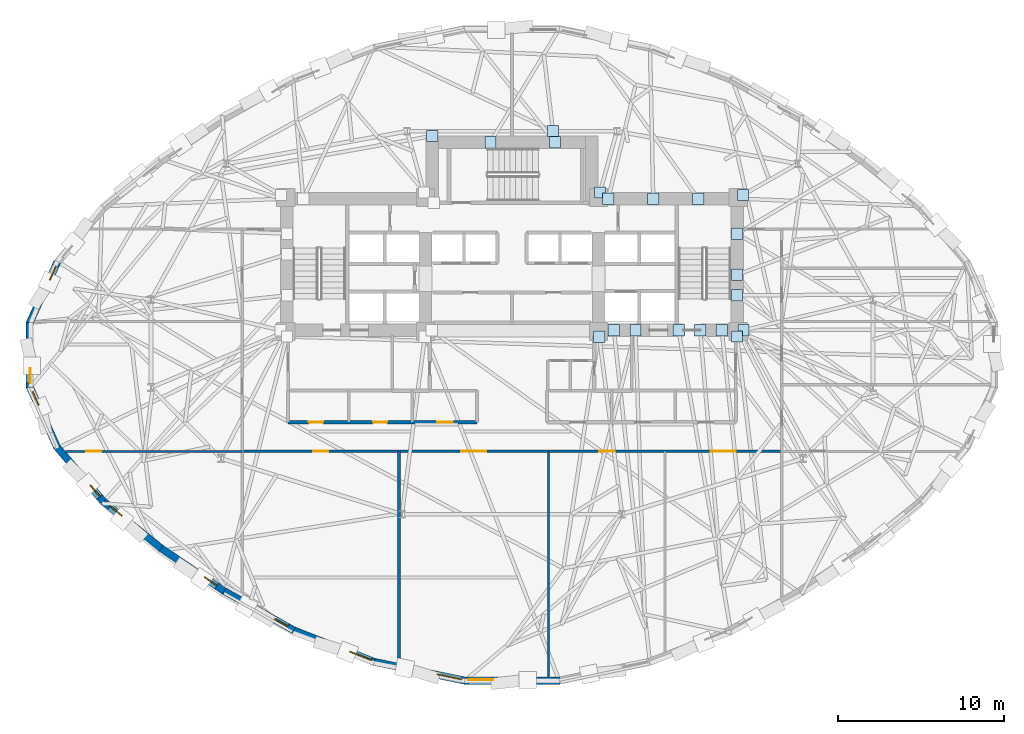
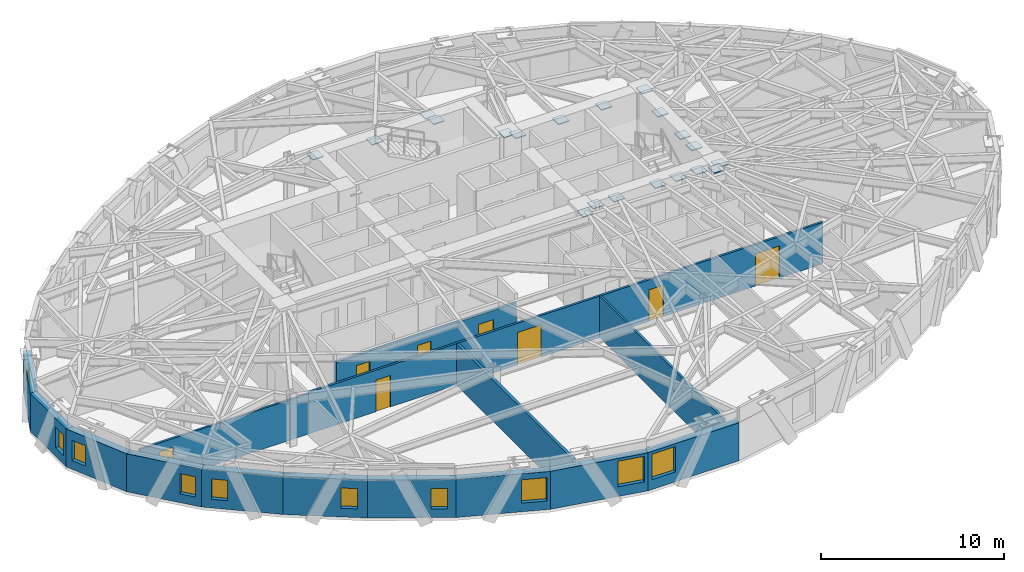
# One storey, part 6 of 14: 20 plates, 15 walls, 10 windows, 8 doors, 18 openings.
"""IFC4 building model written with IfcOpenShell, lengths in metres."""

from ifc_helpers import new_model, si_unit, direction, frame, frame_2d, origin, origin_2d, place, context, subcontext, project, spatial, rectangle, extrude, material, layer, layer_set, type_object, element, fill, save


model = new_model("IFC4")

# Units and contexts
model_context = context("Model", 3, precision=1e-05, world=origin(), true_north=direction((0.0, 1.0)))
body_context = subcontext(model_context, "Body", "Model", "MODEL_VIEW")
ifc_project = project(units=[si_unit("LENGTHUNIT", "METRE"), si_unit("AREAUNIT", "SQUARE_METRE"), si_unit("VOLUMEUNIT", "CUBIC_METRE"), si_unit("PLANEANGLEUNIT", "RADIAN"), si_unit("MASSUNIT", "GRAM", prefix="KILO")], contexts=[model_context])

# Site, building, storey
site_placement = place(None, origin())
site = spatial("IfcSite", under=ifc_project, at=site_placement, CompositionType="ELEMENT")
building_placement = place(site_placement, origin())
building = spatial("IfcBuilding", under=site, at=building_placement, Name="Keldmark Tower", CompositionType="ELEMENT")
storey_placement = place(building_placement, frame((0.0, 0.0, 86.10009765625)))
storey = spatial("IfcBuildingStorey", under=building, at=storey_placement, Name="L22", CompositionType="ELEMENT", Elevation=86.10009765625)

# Plates
ifc_material_1 = material(Name="Steel ASTM A572 Grade 50", Category="steel")
ifc_layer_1 = layer(ifc_material_1, 0.06005859375)
ifc_layer_set_1 = layer_set([ifc_layer_1], Name="Steel ASTM A572 Grade 50")
plate_type = type_object("IfcPlateType", Name="Belt Truss Kink Node Assembly KN01 60 mm", PredefinedType="USERDEFINED", material=ifc_layer_set_1)
for number, where, z_axis, x_axis, name in (
    (1, (13.91162109375, 1.473388671875, 3.0078125), (0.0, 0.0, 1.0), (1.0, 0.0, 0.0), "L22 Core Wall Cast-In Embed Plate 588"),
    (2, (13.878173828125, 9.608154296875, 3.0078125), (0.0, 0.0, 1.0), (1.0, 0.0, 0.0), "L22 Core Wall Cast-In Embed Plate 589"),
    (3, (5.28515625, 9.758544921875, 3.0078125), (0.0, 0.0, 1.0), (1.0, 0.0, 0.0), "L22 Core Wall Cast-In Embed Plate 590"),
    (4, (5.24072265625, 1.08251953125, 3.0078125), (0.0, 0.0, 1.0), (1.0, 0.0, 0.0), "L22 Core Wall Cast-In Embed Plate 595"),
    (5, (-4.800048828125, 13.14990234375, 3.01416015625), (0.0, 0.0, 1.0), (1.0, 0.0, 0.0), "L22 Core Wall Cast-In Embed Plate 597"),
    (6, (13.52490234375, 4.80712890625, 3.01416015625), (0.0, 0.0, 1.0), (1.0, 0.0, 0.0), "L22 Core Wall Cast-In Embed Plate 598"),
    (7, (12.603515625, 1.47509765625, 3.01416015625), (0.0, 0.0, 1.0), (1.0, 0.0, 0.0), "L22 Core Wall Cast-In Embed Plate 600"),
    (8, (13.52490234375, 3.5712890625, 3.01416015625), (0.0, 0.0, 1.0), (1.0, 0.0, 0.0), "L22 Core Wall Cast-In Embed Plate 601"),
    (9, (13.52490234375, 7.278564453125, 3.01416015625), (0.0, 0.0, 1.0), (1.0, 0.0, 0.0), "L22 Core Wall Cast-In Embed Plate 602"),
    (10, (5.778564453125, 9.375, 3.01416015625), (0.0, 0.0, 1.0), (1.0, 0.0, 0.0), "L22 Core Wall Cast-In Embed Plate 603"),
    (11, (8.485595703125, 9.375, 3.01416015625), (0.0, 0.0, 1.0), (1.0, 0.0, 0.0), "L22 Core Wall Cast-In Embed Plate 604"),
    (12, (11.19287109375, 9.375, 3.01416015625), (0.0, 0.0, 1.0), (1.0, 0.0, 0.0), "L22 Core Wall Cast-In Embed Plate 605"),
    (13, (7.41796875, 1.47509765625, 3.01416015625), (0.0, 0.0, 1.0), (1.0, 0.0, 0.0), "L22 Core Wall Cast-In Embed Plate 609"),
    (14, (11.30712890625, 1.47509765625, 3.01416015625), (0.0, 0.0, 1.0), (1.0, 0.0, 0.0), "L22 Core Wall Cast-In Embed Plate 610"),
    (15, (10.0107421875, 1.47509765625, 3.01416015625), (0.0, 0.0, 1.0), (1.0, 0.0, 0.0), "L22 Core Wall Cast-In Embed Plate 611"),
    (16, (13.52490234375, 1.10009765625, 3.01416015625), (0.0, 0.0, 1.0), (1.0, 0.0, 0.0), "L22 Core Wall Cast-In Embed Plate 612"),
    (17, (2.46337890625, 13.4326171875, 3.01416015625), (0.0, 0.0, 1.0), (1.0, 0.0, 0.0), "L22 Core Wall Cast-In Embed Plate 615"),
    (18, (-1.293701171875, 12.77490234375, 3.01416015625), (0.0, 0.0, 1.0), (1.0, 0.0, 0.0), "L22 Core Wall Cast-In Embed Plate 616"),
    (19, (2.58740234375, 12.77490234375, 3.01416015625), (0.0, 0.0, 1.0), (1.0, 0.0, 0.0), "L22 Core Wall Cast-In Embed Plate 617"),
    (20, (6.121337890625, 1.47509765625, 3.01416015625), (0.0, 0.0, 1.0), (1.0, 0.0, 0.0), "L22 Core Wall Cast-In Embed Plate 618"),
):
    element("IfcPlate", number, at=place(storey_placement, frame(where, z_axis=z_axis, x_axis=x_axis)), inside=storey, type_object=plate_type, Name=name, ObjectType="CAP PLATE", PredefinedType="USERDEFINED", context=body_context, shape_type="SweptSolid", body=[
        extrude(rectangle(XDim=0.679931640625, YDim=0.679931640625, at=origin_2d()), origin(), (0.0, 0.0, 1.0), 0.054931640625),
    ])

# Wall, openings, doors
ifc_material_2 = material(Name="Acoustic Double-Layer Gypsum Corridor Partition", Category="gypsum")
ifc_layer_2 = layer(ifc_material_2, 0.139892578125)
ifc_layer_set_2 = layer_set([ifc_layer_2], Name="Acoustic Double-Layer Gypsum Corridor Partition")
wall_type_1 = type_object("IfcWallType", Name="Acoustic Corridor Partition 140 mm", PredefinedType="PARTITIONING", material=ifc_layer_set_2)
wall_1_placement = place(storey_placement, frame((-16.199951171875, -5.800048828125, 0.0), z_axis=(0.0, 0.0, 1.0), x_axis=(1.0, 0.0, 0.0)))
wall_1 = element("IfcWall", 21, at=wall_1_placement, inside=storey, type_object=wall_type_1, Name="L22 Acoustic Corridor Partition 140 mm COR-S", PredefinedType="PARTITIONING", context=body_context, shape_type="SweptSolid", body=[
    extrude(rectangle(XDim=32.39990234375, YDim=0.139892578125, at=frame_2d((16.199951171875, 0.0))), origin(), (0.0, 0.0, 1.0), 2.762939453125),
])
opening_1_placement = place(wall_1_placement, frame((4.25, 0.0, 0.0)))
opening_1 = element("IfcOpeningElement", 22, at=opening_1_placement, cuts=wall_1, Name="Opening D-IN090", PredefinedType="OPENING", context=body_context, shape_type="SweptSolid", body=[
    extrude(rectangle(XDim=0.89990234375, YDim=2.10009765625, at=frame_2d((0.449951171875, 1.050048828125))), frame((0.0, 0.079833984375, 0.0), z_axis=(0.0, -1.0, 0.0), x_axis=(1.0, 0.0, 0.0)), (0.0, 0.0, 1.0), 0.159912109375),
])
opening_2_placement = place(wall_1_placement, frame((13.14990234375, 0.0, 0.0)))
opening_2 = element("IfcOpeningElement", 23, at=opening_2_placement, cuts=wall_1, Name="Opening D-CF150", PredefinedType="OPENING", context=body_context, shape_type="SweptSolid", body=[
    extrude(rectangle(XDim=1.5, YDim=2.14990234375, at=frame_2d((0.75, 1.074951171875))), frame((0.0, 0.079833984375, 0.0), z_axis=(0.0, -1.0, 0.0), x_axis=(1.0, 0.0, 0.0)), (0.0, 0.0, 1.0), 0.159912109375),
])
opening_3_placement = place(wall_1_placement, frame((21.449951171875, 0.0, 0.0)))
opening_3 = element("IfcOpeningElement", 24, at=opening_3_placement, cuts=wall_1, Name="Opening D-IN090", PredefinedType="OPENING", context=body_context, shape_type="SweptSolid", body=[
    extrude(rectangle(XDim=0.89990234375, YDim=2.10009765625, at=frame_2d((0.449951171875, 1.050048828125))), frame((0.0, 0.079833984375, 0.0), z_axis=(0.0, -1.0, 0.0), x_axis=(1.0, 0.0, 0.0)), (0.0, 0.0, 1.0), 0.159912109375),
])
opening_4_placement = place(wall_1_placement, frame((28.14990234375, 0.0, 0.0)))
opening_4 = element("IfcOpeningElement", 25, at=opening_4_placement, cuts=wall_1, Name="Opening D-CF150", PredefinedType="OPENING", context=body_context, shape_type="SweptSolid", body=[
    extrude(rectangle(XDim=1.5, YDim=2.14990234375, at=frame_2d((0.75, 1.074951171875))), frame((0.0, 0.079833984375, 0.0), z_axis=(0.0, -1.0, 0.0), x_axis=(1.0, 0.0, 0.0)), (0.0, 0.0, 1.0), 0.159912109375),
])
ifc_material_3 = material(Name="Acoustic Timber and Tempered Glass Double Door", Category="wood")
door_type_1 = type_object("IfcDoorType", Name="Conference Double Door 1500x2150", OperationType="DOUBLE_DOOR_SINGLE_SWING", PredefinedType="DOOR", material=ifc_material_3)
door_1_placement = place(opening_2_placement, origin())
door_1 = element("IfcDoor", 26, at=door_1_placement, inside=storey, type_object=door_type_1, Name="L22 Conference Double Door 1500x2150 D-SR-2-L22", OperationType="DOUBLE_DOOR_SINGLE_SWING", OverallHeight=2.14990234375, OverallWidth=1.5, PredefinedType="DOOR", context=body_context, shape_type="SweptSolid", body=[
    extrude(rectangle(XDim=1.5, YDim=2.14990234375, at=frame_2d((0.75, 1.074951171875))), frame((0.0, 0.02490234375, 0.0), z_axis=(0.0, -1.0, 0.0), x_axis=(1.0, 0.0, 0.0)), (0.0, 0.0, 1.0), 0.050048828125),
])
fill(opening_2, door_1)
door_2_placement = place(opening_4_placement, origin())
door_2 = element("IfcDoor", 27, at=door_2_placement, inside=storey, type_object=door_type_1, Name="L22 Conference Double Door 1500x2150 D-SR-4-L22", OperationType="DOUBLE_DOOR_SINGLE_SWING", OverallHeight=2.14990234375, OverallWidth=1.5, PredefinedType="DOOR", context=body_context, shape_type="SweptSolid", body=[
    extrude(rectangle(XDim=1.5, YDim=2.14990234375, at=frame_2d((0.75, 1.074951171875))), frame((0.0, 0.02490234375, 0.0), z_axis=(0.0, -1.0, 0.0), x_axis=(1.0, 0.0, 0.0)), (0.0, 0.0, 1.0), 0.050048828125),
])
fill(opening_4, door_2)
ifc_material_4 = material(Name="Stained American White Oak Veneer", Category="wood")
door_type_2 = type_object("IfcDoorType", Name="Interior Door 900x2100", OperationType="NOTDEFINED", PredefinedType="DOOR", material=ifc_material_4)
door_3_placement = place(opening_1_placement, origin())
door_3 = element("IfcDoor", 28, at=door_3_placement, inside=storey, type_object=door_type_2, Name="L22 Interior Door 900x2100 D-SR-1-L22", OperationType="SINGLE_SWING_LEFT", OverallHeight=2.10009765625, OverallWidth=0.89990234375, PredefinedType="DOOR", context=body_context, shape_type="SweptSolid", body=[
    extrude(rectangle(XDim=0.89990234375, YDim=2.10009765625, at=frame_2d((0.449951171875, 1.050048828125))), frame((0.0, 0.02490234375, 0.0), z_axis=(0.0, -1.0, 0.0), x_axis=(1.0, 0.0, 0.0)), (0.0, 0.0, 1.0), 0.050048828125),
])
fill(opening_1, door_3)
door_4_placement = place(opening_3_placement, origin())
door_4 = element("IfcDoor", 29, at=door_4_placement, inside=storey, type_object=door_type_2, Name="L22 Interior Door 900x2100 D-SR-3-L22", OperationType="SINGLE_SWING_LEFT", OverallHeight=2.10009765625, OverallWidth=0.89990234375, PredefinedType="DOOR", context=body_context, shape_type="SweptSolid", body=[
    extrude(rectangle(XDim=0.89990234375, YDim=2.10009765625, at=frame_2d((0.449951171875, 1.050048828125))), frame((0.0, 0.02490234375, 0.0), z_axis=(0.0, -1.0, 0.0), x_axis=(1.0, 0.0, 0.0)), (0.0, 0.0, 1.0), 0.050048828125),
])
fill(opening_3, door_4)

# Wall
ifc_material_5 = material(Name="STC-58 Insulated Tenant Demising Gypsum Partition", Category="gypsum")
ifc_layer_3 = layer(ifc_material_5, 0.175048828125)
ifc_layer_set_3 = layer_set([ifc_layer_3], Name="STC-58 Insulated Tenant Demising Gypsum Partition")
wall_type_2 = type_object("IfcWallType", Name="Demising Suite Partition 175 mm", PredefinedType="PARTITIONING", material=ifc_layer_set_3)
wall_2_placement = place(storey_placement, frame((-6.800048828125, -18.525634765625, 0.0), z_axis=(0.0, 0.0, 1.0), x_axis=(0.0, 1.0, 0.0)))
element("IfcWall", 30, at=wall_2_placement, inside=storey, type_object=wall_type_2, Name="L22 Demising Suite Partition 175 mm S-DIV-1", PredefinedType="PARTITIONING", context=body_context, shape_type="SweptSolid", body=[
    extrude(rectangle(XDim=12.7255859375, YDim=0.175048828125, at=frame_2d((6.36279296875, 0.0))), origin(), (0.0, 0.0, 1.0), 2.7509765625),
])

# Wall, openings, doors
ifc_material_6 = material(Name="Heavy Acoustic Plumbing Chase Gypsum Assembly", Category="gypsum")
ifc_layer_4 = layer(ifc_material_6, 0.18994140625)
ifc_layer_set_4 = layer_set([ifc_layer_4], Name="Heavy Acoustic Plumbing Chase Gypsum Assembly")
wall_type_3 = type_object("IfcWallType", Name="Heavy Wet Wall 190 mm", PredefinedType="PLUMBINGWALL", material=ifc_layer_set_4)
wall_3_placement = place(storey_placement, frame((-13.449951171875, -4.050048828125, 0.0), z_axis=(0.0, 0.0, 1.0), x_axis=(1.0, 0.0, 0.0)))
wall_3 = element("IfcWall", 31, at=wall_3_placement, inside=storey, type_object=wall_type_3, Name="L22 Heavy Wet Wall 190 mm SPK-W-S", PredefinedType="PLUMBINGWALL", context=body_context, shape_type="SweptSolid", body=[
    extrude(rectangle(XDim=11.349853515625, YDim=0.18994140625, at=frame_2d((5.6748046875, 0.0))), origin(), (0.0, 0.0, 1.0), 2.762939453125),
])
opening_5_placement = place(wall_3_placement, frame((1.25, 0.0, 0.0)))
opening_5 = element("IfcOpeningElement", 32, at=opening_5_placement, cuts=wall_3, Name="Opening D-WC085", PredefinedType="OPENING", context=body_context, shape_type="SweptSolid", body=[
    extrude(rectangle(XDim=0.85009765625, YDim=2.10009765625, at=frame_2d((0.425048828125, 1.050048828125))), frame((0.0, 0.10498046875, 0.0), z_axis=(0.0, -1.0, 0.0), x_axis=(1.0, 0.0, 0.0)), (0.0, 0.0, 1.0), 0.2099609375),
])
opening_6_placement = place(wall_3_placement, frame((5.10009765625, 0.0, 0.0)))
opening_6 = element("IfcOpeningElement", 33, at=opening_6_placement, cuts=wall_3, Name="Opening D-WC085", PredefinedType="OPENING", context=body_context, shape_type="SweptSolid", body=[
    extrude(rectangle(XDim=0.85009765625, YDim=2.10009765625, at=frame_2d((0.425048828125, 1.050048828125))), frame((0.0, 0.10498046875, 0.0), z_axis=(0.0, -1.0, 0.0), x_axis=(1.0, 0.0, 0.0)), (0.0, 0.0, 1.0), 0.2099609375),
])
opening_7_placement = place(wall_3_placement, frame((8.949951171875, 0.0, 0.0)))
opening_7 = element("IfcOpeningElement", 34, at=opening_7_placement, cuts=wall_3, Name="Opening D-AWC95", PredefinedType="OPENING", context=body_context, shape_type="SweptSolid", body=[
    extrude(rectangle(XDim=0.949951171875, YDim=2.14990234375, at=frame_2d((0.47509765625, 1.074951171875))), frame((0.0, 0.10498046875, 0.0), z_axis=(0.0, -1.0, 0.0), x_axis=(1.0, 0.0, 0.0)), (0.0, 0.0, 1.0), 0.2099609375),
])
ifc_material_7 = material(Name="Painted Solid-Core Architectural Wood", Category="wood")
door_type_3 = type_object("IfcDoorType", Name="Accessible WC Door 950x2150", OperationType="NOTDEFINED", PredefinedType="DOOR", material=ifc_material_7)
door_5_placement = place(opening_7_placement, origin())
door_5 = element("IfcDoor", 35, at=door_5_placement, inside=storey, type_object=door_type_3, Name="L22 Accessible WC Door 950x2150 D-SPKW3-L22", OperationType="SINGLE_SWING_LEFT", OverallHeight=2.14990234375, OverallWidth=0.949951171875, PredefinedType="DOOR", context=body_context, shape_type="SweptSolid", body=[
    extrude(rectangle(XDim=0.949951171875, YDim=2.14990234375, at=frame_2d((0.47509765625, 1.074951171875))), frame((0.0, 0.02490234375, 0.0), z_axis=(0.0, -1.0, 0.0), x_axis=(1.0, 0.0, 0.0)), (0.0, 0.0, 1.0), 0.050048828125),
])
fill(opening_7, door_5)
ifc_material_8 = material(Name="Moisture-Sealed Painted Wood", Category="wood")
door_type_4 = type_object("IfcDoorType", Name="WC Door 850x2100", OperationType="NOTDEFINED", PredefinedType="DOOR", material=ifc_material_8)
door_6_placement = place(opening_5_placement, origin())
door_6 = element("IfcDoor", 36, at=door_6_placement, inside=storey, type_object=door_type_4, Name="L22 WC Door 850x2100 D-SPKW1-L22", OperationType="SINGLE_SWING_LEFT", OverallHeight=2.10009765625, OverallWidth=0.85009765625, PredefinedType="DOOR", context=body_context, shape_type="SweptSolid", body=[
    extrude(rectangle(XDim=0.85009765625, YDim=2.10009765625, at=frame_2d((0.425048828125, 1.050048828125))), frame((0.0, 0.02490234375, 0.0), z_axis=(0.0, -1.0, 0.0), x_axis=(1.0, 0.0, 0.0)), (0.0, 0.0, 1.0), 0.050048828125),
])
fill(opening_5, door_6)
door_7_placement = place(opening_6_placement, origin())
door_7 = element("IfcDoor", 37, at=door_7_placement, inside=storey, type_object=door_type_4, Name="L22 WC Door 850x2100 D-SPKW2-L22", OperationType="SINGLE_SWING_RIGHT", OverallHeight=2.10009765625, OverallWidth=0.85009765625, PredefinedType="DOOR", context=body_context, shape_type="SweptSolid", body=[
    extrude(rectangle(XDim=0.85009765625, YDim=2.10009765625, at=frame_2d((0.425048828125, 1.050048828125))), frame((0.0, 0.02490234375, 0.0), z_axis=(0.0, -1.0, 0.0), x_axis=(1.0, 0.0, 0.0)), (0.0, 0.0, 1.0), 0.050048828125),
])
fill(opening_6, door_7)

# Wall
ifc_material_9 = material(Name="Acoustic Gypsum Board Interior Partition", Category="gypsum")
ifc_layer_5 = layer(ifc_material_9, 0.1298828125)
ifc_layer_set_5 = layer_set([ifc_layer_5], Name="Acoustic Gypsum Board Interior Partition")
wall_type_4 = type_object("IfcWallType", Name="Interior Partition 130 mm", PredefinedType="PARTITIONING", material=ifc_layer_set_5)
wall_4_placement = place(storey_placement, frame((2.199951171875, -19.349609375, 0.0), z_axis=(0.0, 0.0, 1.0), x_axis=(0.0, 1.0, 0.0)))
element("IfcWall", 38, at=wall_4_placement, inside=storey, type_object=wall_type_4, Name="L22 Interior Partition 130 mm S-DIV-2", PredefinedType="PARTITIONING", context=body_context, shape_type="SweptSolid", body=[
    extrude(rectangle(XDim=13.549560546875, YDim=0.1298828125, at=frame_2d((6.77490234375, 0.0))), origin(), (0.0, 0.0, 1.0), 2.762939453125),
])

# Wall, opening, door
wall_5_placement = place(storey_placement, frame((-26.823486328125, -5.800048828125, 0.0), z_axis=(0.0, 0.0, 1.0), x_axis=(1.0, 0.0, 0.0)))
wall_5 = element("IfcWall", 39, at=wall_5_placement, inside=storey, type_object=wall_type_4, Name="L22 Interior Partition 130 mm W-CAP-S", PredefinedType="PARTITIONING", context=body_context, shape_type="SweptSolid", body=[
    extrude(rectangle(XDim=10.62353515625, YDim=0.1298828125, at=frame_2d((5.311767578125, 0.0))), origin(), (0.0, 0.0, 1.0), 2.68798828125),
])
opening_8_placement = place(wall_5_placement, frame((1.22998046875, 0.0, 0.0)))
opening_8 = element("IfcOpeningElement", 40, at=opening_8_placement, cuts=wall_5, Name="Opening D-IN090", PredefinedType="OPENING", context=body_context, shape_type="SweptSolid", body=[
    extrude(rectangle(XDim=0.89990234375, YDim=2.10009765625, at=frame_2d((0.449951171875, 1.050048828125))), frame((0.0, 0.074951171875, 0.0), z_axis=(0.0, -1.0, 0.0), x_axis=(1.0, 0.0, 0.0)), (0.0, 0.0, 1.0), 0.14990234375),
])
door_8_placement = place(opening_8_placement, origin())
door_8 = element("IfcDoor", 41, at=door_8_placement, inside=storey, type_object=door_type_2, Name="L22 Interior Door 900x2100 D-WRSW-L22", OperationType="SINGLE_SWING_LEFT", OverallHeight=2.10009765625, OverallWidth=0.89990234375, PredefinedType="DOOR", context=body_context, shape_type="SweptSolid", body=[
    extrude(rectangle(XDim=0.89990234375, YDim=2.10009765625, at=frame_2d((0.449951171875, 1.050048828125))), frame((0.0, 0.02490234375, 0.0), z_axis=(0.0, -1.0, 0.0), x_axis=(1.0, 0.0, 0.0)), (0.0, 0.0, 1.0), 0.050048828125),
])
fill(opening_8, door_8)

# Wall, opening, window
ifc_material_10 = material(Name="Ironspot Manganese Brick and Kasota Buff Limestone Spandrel Assembly", Category="masonry")
ifc_layer_6 = layer(ifc_material_10, 0.43994140625)
ifc_layer_set_6 = layer_set([ifc_layer_6], Name="Ironspot Manganese Brick and Kasota Buff Limestone Spandrel Assembly")
wall_type_5 = type_object("IfcWallType", Name="Tower Brick Pier and Spandrel Wall 440 mm", PredefinedType="STANDARD", material=ifc_layer_set_6)
wall_6_placement = place(storey_placement, frame((-29.007568359375, 1.859375, 0.0), z_axis=(0.0, 0.0, 1.0), x_axis=(0.411809988363, 0.911269736952, 0.0)))
wall_6 = element("IfcWall", 42, at=wall_6_placement, inside=storey, type_object=wall_type_5, Name="L22 Exterior Brick and Spandrel Wall 15", PredefinedType="STANDARD", context=body_context, shape_type="SweptSolid", body=[
    extrude(rectangle(XDim=4.072265625, YDim=0.43994140625, at=frame_2d((2.0361328125, 0.0))), origin(), (0.0, 0.0, 1.0), 2.52783203125),
])
opening_9_placement = place(wall_6_placement, frame((2.922607421875, 0.0, 0.580078125)))
opening_9 = element("IfcOpeningElement", 43, at=opening_9_placement, cuts=wall_6, Name="Opening W-09", PredefinedType="OPENING", context=body_context, shape_type="SweptSolid", body=[
    extrude(rectangle(XDim=0.89990234375, YDim=1.35009765625, at=frame_2d((0.449951171875, 0.675048828125))), frame((0.0, 0.22998046875, 0.0), z_axis=(0.0, -1.0, 0.0), x_axis=(1.0, 0.0, 0.0)), (0.0, 0.0, 1.0), 0.4599609375),
])
ifc_material_11 = material(Name="Thermally Broken Anodized Aluminum and Triple Low-E Argon Glazing", Category="aluminium")
window_type_1 = type_object("IfcWindowType", Name="Corner Pier Deep-Set Window 900x1350", PartitioningType="SINGLE_PANEL", PredefinedType="WINDOW", material=ifc_material_11)
window_1_placement = place(opening_9_placement, origin())
window_1 = element("IfcWindow", 44, at=window_1_placement, inside=storey, type_object=window_type_1, Name="L22 Deep-Set Window 15", OverallHeight=1.35009765625, OverallWidth=0.89990234375, PartitioningType="SINGLE_PANEL", PredefinedType="WINDOW", context=body_context, shape_type="SweptSolid", body=[
    extrude(rectangle(XDim=0.89990234375, YDim=1.35009765625, at=frame_2d((0.449951171875, 0.675048828125))), frame((0.0, -0.010009765625, 0.0), z_axis=(0.0, -1.0, 0.0), x_axis=(1.0, 0.0, 0.0)), (0.0, 0.0, 1.0), 0.06005859375),
])
fill(opening_9, window_1)

wall_7_placement = place(storey_placement, frame((-28.988037109375, -1.949951171875, 0.0), z_axis=(0.0, 0.0, 1.0), x_axis=(0.0, 1.0, 0.0)))
wall_7 = element("IfcWall", 45, at=wall_7_placement, inside=storey, type_object=wall_type_5, Name="L22 Exterior Brick and Spandrel Wall 16", PredefinedType="STANDARD", context=body_context, shape_type="SweptSolid", body=[
    extrude(rectangle(XDim=3.89990234375, YDim=0.43994140625, at=frame_2d((1.949951171875, 0.0))), origin(), (0.0, 0.0, 1.0), 2.52783203125),
])
opening_10_placement = place(wall_7_placement, frame((0.25, 0.0, 0.580078125)))
opening_10 = element("IfcOpeningElement", 46, at=opening_10_placement, cuts=wall_7, Name="Opening W-09", PredefinedType="OPENING", context=body_context, shape_type="SweptSolid", body=[
    extrude(rectangle(XDim=0.89990234375, YDim=1.35009765625, at=frame_2d((0.449951171875, 0.675048828125))), frame((0.0, 0.22998046875, 0.0), z_axis=(0.0, -1.0, 0.0), x_axis=(1.0, 0.0, 0.0)), (0.0, 0.0, 1.0), 0.4599609375),
])
window_2_placement = place(opening_10_placement, origin())
window_2 = element("IfcWindow", 47, at=window_2_placement, inside=storey, type_object=window_type_1, Name="L22 Deep-Set Window 16", OverallHeight=1.35009765625, OverallWidth=0.89990234375, PartitioningType="SINGLE_PANEL", PredefinedType="WINDOW", context=body_context, shape_type="SweptSolid", body=[
    extrude(rectangle(XDim=0.89990234375, YDim=1.35009765625, at=frame_2d((0.449951171875, 0.675048828125))), frame((0.0, -0.010009765625, 0.0), z_axis=(0.0, -1.0, 0.0), x_axis=(1.0, 0.0, 0.0)), (0.0, 0.0, 1.0), 0.06005859375),
])
fill(opening_10, window_2)

wall_8_placement = place(storey_placement, frame((-27.33056640625, -5.5703125, 0.0), z_axis=(0.0, 0.0, 1.0), x_axis=(-0.411809988363, 0.911269736952, 0.0)))
wall_8 = element("IfcWall", 48, at=wall_8_placement, inside=storey, type_object=wall_type_5, Name="L22 Exterior Brick and Spandrel Wall 17", PredefinedType="STANDARD", context=body_context, shape_type="SweptSolid", body=[
    extrude(rectangle(XDim=4.072265625, YDim=0.43994140625, at=frame_2d((2.0361328125, 0.0))), origin(), (0.0, 0.0, 1.0), 2.52783203125),
])
opening_11_placement = place(wall_8_placement, frame((2.774169921875, 0.0, 0.580078125)))
opening_11 = element("IfcOpeningElement", 49, at=opening_11_placement, cuts=wall_8, Name="Opening W-09", PredefinedType="OPENING", context=body_context, shape_type="SweptSolid", body=[
    extrude(rectangle(XDim=0.89990234375, YDim=1.35009765625, at=frame_2d((0.449951171875, 0.675048828125))), frame((0.0, 0.22998046875, 0.0), z_axis=(0.0, -1.0, 0.0), x_axis=(1.0, 0.0, 0.0)), (0.0, 0.0, 1.0), 0.4599609375),
])
window_3_placement = place(opening_11_placement, origin())
window_3 = element("IfcWindow", 50, at=window_3_placement, inside=storey, type_object=window_type_1, Name="L22 Deep-Set Window 17", OverallHeight=1.35009765625, OverallWidth=0.89990234375, PartitioningType="SINGLE_PANEL", PredefinedType="WINDOW", context=body_context, shape_type="SweptSolid", body=[
    extrude(rectangle(XDim=0.89990234375, YDim=1.35009765625, at=frame_2d((0.449951171875, 0.675048828125))), frame((0.0, -0.010009765625, 0.0), z_axis=(0.0, -1.0, 0.0), x_axis=(1.0, 0.0, 0.0)), (0.0, 0.0, 1.0), 0.06005859375),
])
fill(opening_11, window_3)

wall_9_placement = place(storey_placement, frame((-24.552978515625, -8.8134765625, 0.0), z_axis=(0.0, 0.0, 1.0), x_axis=(-0.648913975558, 0.760861782669, 0.0)))
wall_9 = element("IfcWall", 51, at=wall_9_placement, inside=storey, type_object=wall_type_5, Name="L22 Exterior Brick and Spandrel Wall 18", PredefinedType="STANDARD", context=body_context, shape_type="SweptSolid", body=[
    extrude(rectangle(XDim=4.3310546875, YDim=0.43994140625, at=frame_2d((2.16552734375, 0.0))), origin(), (0.0, 0.0, 1.0), 2.52783203125),
])
opening_12_placement = place(wall_9_placement, frame((0.34912109375, 0.0, 0.580078125)))
opening_12 = element("IfcOpeningElement", 52, at=opening_12_placement, cuts=wall_9, Name="Opening W-09", PredefinedType="OPENING", context=body_context, shape_type="SweptSolid", body=[
    extrude(rectangle(XDim=0.89990234375, YDim=1.35009765625, at=frame_2d((0.449951171875, 0.675048828125))), frame((0.0, 0.22998046875, 0.0), z_axis=(0.0, -1.0, 0.0), x_axis=(1.0, 0.0, 0.0)), (0.0, 0.0, 1.0), 0.4599609375),
])
window_4_placement = place(opening_12_placement, origin())
window_4 = element("IfcWindow", 53, at=window_4_placement, inside=storey, type_object=window_type_1, Name="L22 Deep-Set Window 18", OverallHeight=1.35009765625, OverallWidth=0.89990234375, PartitioningType="SINGLE_PANEL", PredefinedType="WINDOW", context=body_context, shape_type="SweptSolid", body=[
    extrude(rectangle(XDim=0.89990234375, YDim=1.35009765625, at=frame_2d((0.449951171875, 0.675048828125))), frame((0.0, -0.010009765625, 0.0), z_axis=(0.0, -1.0, 0.0), x_axis=(1.0, 0.0, 0.0)), (0.0, 0.0, 1.0), 0.06005859375),
])
fill(opening_12, window_4)

wall_10_placement = place(storey_placement, frame((-21.080810546875, -11.63330078125, 0.0), z_axis=(0.0, 0.0, 1.0), x_axis=(-0.775728286929, 0.631067052585, 0.0)))
wall_10 = element("IfcWall", 54, at=wall_10_placement, inside=storey, type_object=wall_type_5, Name="L22 Exterior Brick and Spandrel Wall 19", PredefinedType="STANDARD", context=body_context, shape_type="SweptSolid", body=[
    extrude(rectangle(XDim=4.512939453125, YDim=0.43994140625, at=frame_2d((2.25634765625, 0.0))), origin(), (0.0, 0.0, 1.0), 2.52783203125),
])
opening_13_placement = place(wall_10_placement, frame((3.066650390625, 0.0, 0.580078125)))
opening_13 = element("IfcOpeningElement", 55, at=opening_13_placement, cuts=wall_10, Name="Opening W-09", PredefinedType="OPENING", context=body_context, shape_type="SweptSolid", body=[
    extrude(rectangle(XDim=0.89990234375, YDim=1.35009765625, at=frame_2d((0.449951171875, 0.675048828125))), frame((0.0, 0.22998046875, 0.0), z_axis=(0.0, -1.0, 0.0), x_axis=(1.0, 0.0, 0.0)), (0.0, 0.0, 1.0), 0.4599609375),
])
window_5_placement = place(opening_13_placement, origin())
window_5 = element("IfcWindow", 56, at=window_5_placement, inside=storey, type_object=window_type_1, Name="L22 Deep-Set Window 19", OverallHeight=1.35009765625, OverallWidth=0.89990234375, PartitioningType="SINGLE_PANEL", PredefinedType="WINDOW", context=body_context, shape_type="SweptSolid", body=[
    extrude(rectangle(XDim=0.89990234375, YDim=1.35009765625, at=frame_2d((0.449951171875, 0.675048828125))), frame((0.0, -0.010009765625, 0.0), z_axis=(0.0, -1.0, 0.0), x_axis=(1.0, 0.0, 0.0)), (0.0, 0.0, 1.0), 0.06005859375),
])
fill(opening_13, window_5)

wall_11_placement = place(storey_placement, frame((-17.291015625, -14.200927734375, 0.0), z_axis=(0.0, 0.0, 1.0), x_axis=(-0.827777061901, 0.561057159112, 0.0)))
wall_11 = element("IfcWall", 57, at=wall_11_placement, inside=storey, type_object=wall_type_5, Name="L22 Exterior Brick and Spandrel Wall 20", PredefinedType="STANDARD", context=body_context, shape_type="SweptSolid", body=[
    extrude(rectangle(XDim=4.596923828125, YDim=0.43994140625, at=frame_2d((2.29833984375, 0.0))), origin(), (0.0, 0.0, 1.0), 2.52783203125),
])
opening_14_placement = place(wall_11_placement, frame((0.5498046875, 0.0, 0.580078125)))
opening_14 = element("IfcOpeningElement", 58, at=opening_14_placement, cuts=wall_11, Name="Opening W-09", PredefinedType="OPENING", context=body_context, shape_type="SweptSolid", body=[
    extrude(rectangle(XDim=0.89990234375, YDim=1.35009765625, at=frame_2d((0.449951171875, 0.675048828125))), frame((0.0, 0.22998046875, 0.0), z_axis=(0.0, -1.0, 0.0), x_axis=(1.0, 0.0, 0.0)), (0.0, 0.0, 1.0), 0.4599609375),
])
window_6_placement = place(opening_14_placement, origin())
window_6 = element("IfcWindow", 59, at=window_6_placement, inside=storey, type_object=window_type_1, Name="L22 Deep-Set Window 20", OverallHeight=1.35009765625, OverallWidth=0.89990234375, PartitioningType="SINGLE_PANEL", PredefinedType="WINDOW", context=body_context, shape_type="SweptSolid", body=[
    extrude(rectangle(XDim=0.89990234375, YDim=1.35009765625, at=frame_2d((0.449951171875, 0.675048828125))), frame((0.0, -0.010009765625, 0.0), z_axis=(0.0, -1.0, 0.0), x_axis=(1.0, 0.0, 0.0)), (0.0, 0.0, 1.0), 0.06005859375),
])
fill(opening_14, window_6)

wall_12_placement = place(storey_placement, frame((-13.10498046875, -16.564208984375, 0.0), z_axis=(0.0, 0.0, 1.0), x_axis=(-0.870732411856, 0.491757121903, 0.0)))
wall_12 = element("IfcWall", 60, at=wall_12_placement, inside=storey, type_object=wall_type_5, Name="L22 Exterior Brick and Spandrel Wall 21", PredefinedType="STANDARD", context=body_context, shape_type="SweptSolid", body=[
    extrude(rectangle(XDim=4.8251953125, YDim=0.43994140625, at=frame_2d((2.41259765625, 0.0))), origin(), (0.0, 0.0, 1.0), 2.52783203125),
])
opening_15_placement = place(wall_12_placement, frame((0.4482421875, 0.0, 0.580078125)))
opening_15 = element("IfcOpeningElement", 61, at=opening_15_placement, cuts=wall_12, Name="Opening W-09", PredefinedType="OPENING", context=body_context, shape_type="SweptSolid", body=[
    extrude(rectangle(XDim=0.89990234375, YDim=1.35009765625, at=frame_2d((0.449951171875, 0.675048828125))), frame((0.0, 0.22998046875, 0.0), z_axis=(0.0, -1.0, 0.0), x_axis=(1.0, 0.0, 0.0)), (0.0, 0.0, 1.0), 0.4599609375),
])
window_7_placement = place(opening_15_placement, origin())
window_7 = element("IfcWindow", 62, at=window_7_placement, inside=storey, type_object=window_type_1, Name="L22 Deep-Set Window 21", OverallHeight=1.35009765625, OverallWidth=0.89990234375, PartitioningType="SINGLE_PANEL", PredefinedType="WINDOW", context=body_context, shape_type="SweptSolid", body=[
    extrude(rectangle(XDim=0.89990234375, YDim=1.35009765625, at=frame_2d((0.449951171875, 0.675048828125))), frame((0.0, -0.010009765625, 0.0), z_axis=(0.0, -1.0, 0.0), x_axis=(1.0, 0.0, 0.0)), (0.0, 0.0, 1.0), 0.06005859375),
])
fill(opening_15, window_7)

wall_13_placement = place(storey_placement, frame((-8.271240234375, -18.456298828125, 0.0), z_axis=(0.0, 0.0, 1.0), x_axis=(-0.931059171354, 0.364868222017, 0.0)))
wall_13 = element("IfcWall", 63, at=wall_13_placement, inside=storey, type_object=wall_type_5, Name="L22 Exterior Brick and Spandrel Wall 22", PredefinedType="STANDARD", context=body_context, shape_type="SweptSolid", body=[
    extrude(rectangle(XDim=5.221923828125, YDim=0.43994140625, at=frame_2d((2.61083984375, 0.0))), origin(), (0.0, 0.0, 1.0), 2.52783203125),
])
opening_16_placement = place(wall_13_placement, frame((0.199951171875, 0.0, 0.580078125)))
opening_16 = element("IfcOpeningElement", 64, at=opening_16_placement, cuts=wall_13, Name="Opening W-08", PredefinedType="OPENING", context=body_context, shape_type="SweptSolid", body=[
    extrude(rectangle(XDim=1.39990234375, YDim=1.550048828125, at=frame_2d((0.699951171875, 0.77490234375))), frame((0.0, 0.22998046875, 0.0), z_axis=(0.0, -1.0, 0.0), x_axis=(1.0, 0.0, 0.0)), (0.0, 0.0, 1.0), 0.4599609375),
])
ifc_material_12 = material(Name="Thermally Broken Anodized Aluminum and Triple Low-E Argon Glazing", Category="aluminium")
window_type_2 = type_object("IfcWindowType", Name="Residential Corner Punched Window 1400x1550", PartitioningType="SINGLE_PANEL", PredefinedType="WINDOW", material=ifc_material_12)
window_8_placement = place(opening_16_placement, origin())
window_8 = element("IfcWindow", 65, at=window_8_placement, inside=storey, type_object=window_type_2, Name="L22 Deep-Set Window 22", OverallHeight=1.550048828125, OverallWidth=1.39990234375, PartitioningType="SINGLE_PANEL", PredefinedType="WINDOW", context=body_context, shape_type="SweptSolid", body=[
    extrude(rectangle(XDim=1.39990234375, YDim=1.550048828125, at=frame_2d((0.699951171875, 0.77490234375))), frame((0.0, -0.010009765625, 0.0), z_axis=(0.0, -1.0, 0.0), x_axis=(1.0, 0.0, 0.0)), (0.0, 0.0, 1.0), 0.06005859375),
])
fill(opening_16, window_8)

wall_14_placement = place(storey_placement, frame((-2.83203125, -19.582275390625, 0.0), z_axis=(0.0, 0.0, 1.0), x_axis=(-0.979118590293, 0.20328990664, 0.0)))
wall_14 = element("IfcWall", 66, at=wall_14_placement, inside=storey, type_object=wall_type_5, Name="L22 Exterior Brick and Spandrel Wall 23", PredefinedType="STANDARD", context=body_context, shape_type="SweptSolid", body=[
    extrude(rectangle(XDim=5.591552734375, YDim=0.43994140625, at=frame_2d((2.7958984375, 0.0))), origin(), (0.0, 0.0, 1.0), 2.52783203125),
])
opening_17_placement = place(wall_14_placement, frame((0.199951171875, 0.0, 0.64990234375)))
opening_17 = element("IfcOpeningElement", 67, at=opening_17_placement, cuts=wall_14, Name="Opening W-03", PredefinedType="OPENING", context=body_context, shape_type="SweptSolid", body=[
    extrude(rectangle(XDim=1.5, YDim=1.699951171875, at=frame_2d((0.75, 0.85009765625))), frame((0.0, 0.22998046875, 0.0), z_axis=(0.0, -1.0, 0.0), x_axis=(1.0, 0.0, 0.0)), (0.0, 0.0, 1.0), 0.4599609375),
])
ifc_material_13 = material(Name="Thermally Broken Anodized Aluminum and Triple Low-E Argon Glazing", Category="aluminium")
window_type_3 = type_object("IfcWindowType", Name="Office Corner Deep-Set Window 1500x1700", PartitioningType="DOUBLE_PANEL_VERTICAL", PredefinedType="WINDOW", material=ifc_material_13)
window_9_placement = place(opening_17_placement, origin())
window_9 = element("IfcWindow", 68, at=window_9_placement, inside=storey, type_object=window_type_3, Name="L22 Deep-Set Window 23", OverallHeight=1.699951171875, OverallWidth=1.5, PartitioningType="SINGLE_PANEL", PredefinedType="WINDOW", context=body_context, shape_type="SweptSolid", body=[
    extrude(rectangle(XDim=1.5, YDim=1.699951171875, at=frame_2d((0.75, 0.85009765625))), frame((0.0, -0.010009765625, 0.0), z_axis=(0.0, -1.0, 0.0), x_axis=(1.0, 0.0, 0.0)), (0.0, 0.0, 1.0), 0.06005859375),
])
fill(opening_17, window_9)

wall_15_placement = place(storey_placement, frame((2.876708984375, -19.57763671875, 0.0), z_axis=(0.0, 0.0, 1.0), x_axis=(-1.0, 0.0, 0.0)))
wall_15 = element("IfcWall", 69, at=wall_15_placement, inside=storey, type_object=wall_type_5, Name="L22 Exterior Brick and Spandrel Wall 24", PredefinedType="STANDARD", context=body_context, shape_type="SweptSolid", body=[
    extrude(rectangle(XDim=5.75341796875, YDim=0.43994140625, at=frame_2d((2.876708984375, 0.0))), origin(), (0.0, 0.0, 1.0), 2.52783203125),
])
opening_18_placement = place(wall_15_placement, frame((4.00390625, 0.0, 0.64990234375)))
opening_18 = element("IfcOpeningElement", 70, at=opening_18_placement, cuts=wall_15, Name="Opening W-03", PredefinedType="OPENING", context=body_context, shape_type="SweptSolid", body=[
    extrude(rectangle(XDim=1.5, YDim=1.699951171875, at=frame_2d((0.75, 0.85009765625))), frame((0.0, 0.22998046875, 0.0), z_axis=(0.0, -1.0, 0.0), x_axis=(1.0, 0.0, 0.0)), (0.0, 0.0, 1.0), 0.4599609375),
])
window_10_placement = place(opening_18_placement, origin())
window_10 = element("IfcWindow", 71, at=window_10_placement, inside=storey, type_object=window_type_3, Name="L22 Deep-Set Window 24", OverallHeight=1.699951171875, OverallWidth=1.5, PartitioningType="SINGLE_PANEL", PredefinedType="WINDOW", context=body_context, shape_type="SweptSolid", body=[
    extrude(rectangle(XDim=1.5, YDim=1.699951171875, at=frame_2d((0.75, 0.85009765625))), frame((0.0, -0.010009765625, 0.0), z_axis=(0.0, -1.0, 0.0), x_axis=(1.0, 0.0, 0.0)), (0.0, 0.0, 1.0), 0.06005859375),
])
fill(opening_18, window_10)

save(model, "model.ifc")
